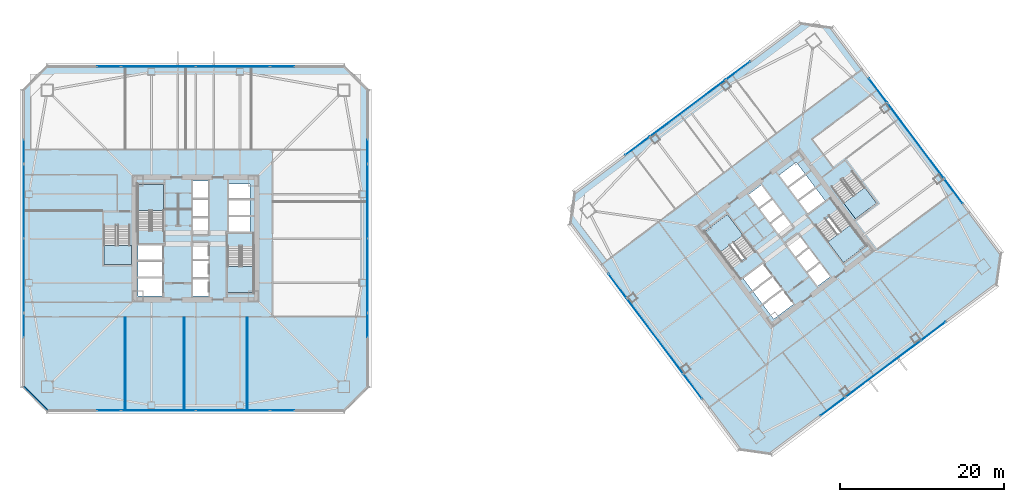
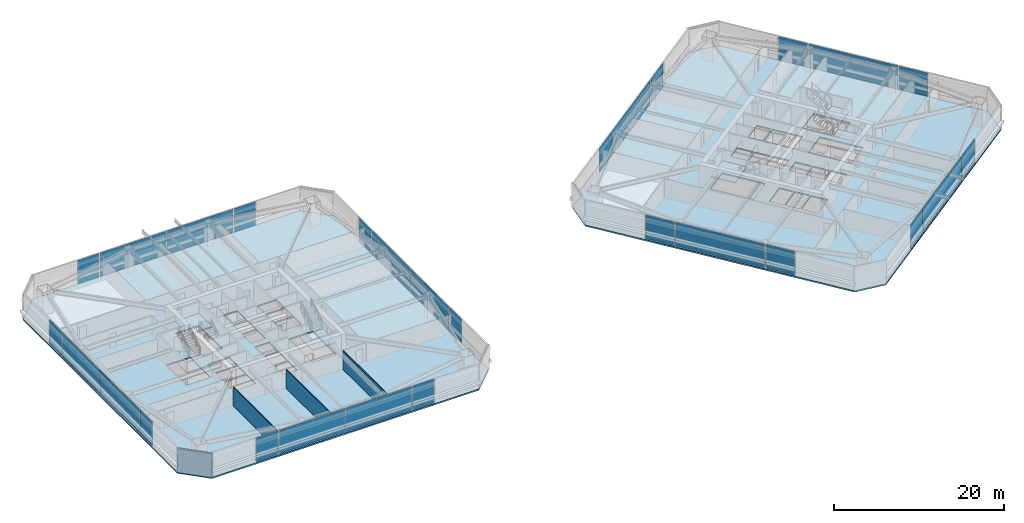
# One storey, part 32 of 44: 28 plates, 8 slabs, 4 walls, 30 elements without a shape of their own.
"""IFC4 building model written with IfcOpenShell, lengths in metres."""

import ifcopenshell
import ifcopenshell.guid

model = None  # the IFC model being written
_history = None  # IfcOwnerHistory: only IFC2X3 demands one
_inside = {}  # id of a spatial element -> (the spatial element, [elements in it])
_under = {}  # id of a project, library or spatial element -> (it, [spatial elements below it])
_declared = {}  # id of a project -> (the project, [libraries it declares])
_typed = {}  # id of a type object -> (the type object, [elements of that type])
_made_of = {}  # id of a material, layer set ... -> (it, [elements and type objects made of it])


def new_model(schema):
    """Start an empty IFC model of exactly this schema.

    Asked for "IFC4X3", IfcOpenShell would pick the latest addendum, in which some entities
    have other attributes; the version numbers below select the first issue.
    IFC2X3 requires an IfcOwnerHistory on every rooted entity: one is made here for all.
    """
    global model, _history
    if schema == "IFC4X3":
        model = ifcopenshell.file(schema_version=(4, 3, 0, 0))
    else:
        model = ifcopenshell.file(schema=schema)
    _inside.clear()
    _under.clear()
    _declared.clear()
    _typed.clear()
    _made_of.clear()
    _history = None
    if model.schema == "IFC2X3":
        org = make("IfcOrganization", Name="unknown")
        user = make(
            "IfcPersonAndOrganization",
            ThePerson=make("IfcPerson", FamilyName="unknown"),
            TheOrganization=org,
        )
        app = make(
            "IfcApplication",
            ApplicationDeveloper=org,
            Version="unknown",
            ApplicationFullName="unknown",
            ApplicationIdentifier="unknown",
        )
        _history = make(
            "IfcOwnerHistory",
            OwningUser=user,
            OwningApplication=app,
            ChangeAction="ADDED",
            CreationDate=0,
        )
    return model


def make(cls, **values):
    """One entity of the class cls with the attributes given. An attribute that is None is left unset."""
    return model.create_entity(
        cls, **{name: value for name, value in values.items() if value is not None}
    )


def rooted(cls, **values):
    """An entity with a GlobalId (a new one), such as an element, a storey or a relation."""
    return make(cls, GlobalId=ifcopenshell.guid.new(), OwnerHistory=_history, **values)


def si_unit(unit_type, name, prefix=None):
    """IfcSIUnit, for example si_unit("LENGTHUNIT", "METRE", prefix="MILLI")."""
    return make("IfcSIUnit", UnitType=unit_type, Prefix=prefix, Name=name)


def assignment(units):
    """IfcUnitAssignment: the units of a project."""
    return None if units is None else make("IfcUnitAssignment", Units=units)


def point(xyz):
    """IfcCartesianPoint."""
    return None if xyz is None else make("IfcCartesianPoint", Coordinates=xyz)


def direction(xyz):
    """IfcDirection."""
    return None if xyz is None else make("IfcDirection", DirectionRatios=xyz)


def frame(location, z_axis=None, x_axis=None):
    """IfcAxis2Placement3D, a coordinate frame: its origin and axes. An axis left out is left unset."""
    return make(
        "IfcAxis2Placement3D",
        Location=point(location),
        Axis=direction(z_axis),
        RefDirection=direction(x_axis),
    )


def frame_2d(location, x_axis=None):
    """IfcAxis2Placement2D, a coordinate frame in the plane: its origin and x axis."""
    return make(
        "IfcAxis2Placement2D", Location=point(location), RefDirection=direction(x_axis)
    )


def origin():
    """The frame at (0, 0, 0) with its axes left unset."""
    return frame((0.0, 0.0, 0.0))


def origin_2d():
    """The frame at (0, 0) in the plane with its x axis left unset."""
    return frame_2d((0.0, 0.0))


def place(relative_to, where):
    """IfcLocalPlacement: puts the frame where relative to a parent placement (None: the world)."""
    return make(
        "IfcLocalPlacement", PlacementRelTo=relative_to, RelativePlacement=where
    )


def context(
    kind, dimensions, precision=None, world=None, true_north=None, identifier=None
):
    """IfcGeometricRepresentationContext, for example the 3D "Model" context."""
    return make(
        "IfcGeometricRepresentationContext",
        ContextIdentifier=identifier,
        ContextType=kind,
        CoordinateSpaceDimension=dimensions,
        Precision=precision,
        WorldCoordinateSystem=world,
        TrueNorth=true_north,
    )


def subcontext(parent, identifier, kind, view, scale=None):
    """IfcGeometricRepresentationSubContext, for example "Body" below "Model"."""
    return make(
        "IfcGeometricRepresentationSubContext",
        ContextIdentifier=identifier,
        ContextType=kind,
        ParentContext=parent,
        TargetScale=scale,
        TargetView=view,
    )


def project(units=None, contexts=None):
    """IfcProject with its units and contexts."""
    return rooted(
        "IfcProject",
        Name="project",
        RepresentationContexts=contexts,
        UnitsInContext=assignment(units),
    )


def spatial(cls, under=None, at=None, **own):
    """A site, building, storey or space (cls), placed at a placement, below another one or the project."""
    s = rooted(cls, ObjectPlacement=at, **own)
    if under is not None:
        _under.setdefault(under.id(), (under, []))[1].append(s)
    return s


def polyline(points):
    """IfcPolyline through the points."""
    return make("IfcPolyline", Points=[point(p) for p in points])


def profile(cls, at=None, kind="AREA", **sizes):
    """A parametric profile (cls). Its sizes go by their IFC names, for example OverallWidth=200.0."""
    return make(cls, ProfileType=kind, Position=at, **sizes)


def rectangle(**sizes):
    """IfcRectangleProfileDef."""
    return profile("IfcRectangleProfileDef", **sizes)


def outline(outer, holes=None, kind="AREA"):
    """IfcArbitraryClosedProfileDef: a profile drawn as a closed curve; with holes, ...WithVoids."""
    if holes is None:
        return make("IfcArbitraryClosedProfileDef", ProfileType=kind, OuterCurve=outer)
    return make(
        "IfcArbitraryProfileDefWithVoids",
        ProfileType=kind,
        OuterCurve=outer,
        InnerCurves=holes,
    )


def extrude(swept, where, along, depth):
    """IfcExtrudedAreaSolid: the profile swept, set in the frame where, extruded along a direction by depth."""
    return make(
        "IfcExtrudedAreaSolid",
        SweptArea=swept,
        Position=where,
        ExtrudedDirection=direction(along),
        Depth=depth,
    )


def shape(context_of_items, identifier, shape_type, items):
    """IfcShapeRepresentation: the items that make up one representation, for example the "Body"."""
    return make(
        "IfcShapeRepresentation",
        ContextOfItems=context_of_items,
        RepresentationIdentifier=identifier,
        RepresentationType=shape_type,
        Items=items,
    )


def material(Name=None, Category=None):
    """IfcMaterial."""
    return make("IfcMaterial", Name=Name, Category=Category)


def layer(
    of_material, thickness, ventilated=None, Name=None, Category=None, Priority=None
):
    """IfcMaterialLayer: one layer of a wall or slab, of a material (None: an air gap)."""
    return make(
        "IfcMaterialLayer",
        Material=of_material,
        LayerThickness=thickness,
        IsVentilated=ventilated,
        Name=Name,
        Category=Category,
        Priority=Priority,
    )


def layer_set(layers, Name=None):
    """IfcMaterialLayerSet."""
    return make("IfcMaterialLayerSet", MaterialLayers=layers, LayerSetName=Name)


def made_of(thing, what):
    """Note that an element or type object is made of a material, layer set ...; save() writes the relation."""
    if what is not None:
        _made_of.setdefault(what.id(), (what, []))[1].append(thing)
    return thing


def type_object(cls, material=None, **own):
    """A type object (cls), such as IfcWallType, which elements share."""
    return made_of(rooted(cls, **own), material)


def element(
    cls,
    number,
    at=None,
    inside=None,
    cuts=None,
    type_object=None,
    material=None,
    context=None,
    identifier="Body",
    shape_type=None,
    held_by="IfcProductDefinitionShape",
    body=None,
    shapes=None,
    **own,
):
    """One element of the class cls, such as IfcWall. Its Tag is "e" and its number.

    at: its placement. inside: the storey or other place that contains it. cuts: it is an
    opening in that element (IfcRelVoidsElement). A single representation is given by context,
    identifier, shape_type and body (its items); several are given by shapes. held_by: the class
    of the entity that holds the representations. save() writes the other relations.
    """
    e = rooted(cls, Tag="e%d" % number, ObjectPlacement=at, **own)
    if body is not None:
        shapes = [shape(context, identifier, shape_type, body)]
    if shapes is not None:
        e.Representation = make(held_by, Representations=shapes)
    if inside is not None:
        _inside.setdefault(inside.id(), (inside, []))[1].append(e)
    if cuts is not None:
        rooted(
            "IfcRelVoidsElement", RelatingBuildingElement=cuts, RelatedOpeningElement=e
        )
    if type_object is not None:
        _typed.setdefault(type_object.id(), (type_object, []))[1].append(e)
    return made_of(e, material)


def aggregate(whole, parts):
    """IfcRelAggregates: a whole, such as a stair, and the parts it consists of."""
    return rooted("IfcRelAggregates", RelatingObject=whole, RelatedObjects=parts)


def save(model, path):
    """Write the relations noted so far, then the file.

    IfcRelAggregates (storeys below a building ...), IfcRelContainedInSpatialStructure (elements
    in a storey), IfcRelDefinesByType, IfcRelAssociatesMaterial and IfcRelDeclares: one each for
    every whole, place, type object, material and project.
    """
    for whole, parts in _under.values():
        aggregate(whole, parts)
    for where, things in _inside.values():
        rooted(
            "IfcRelContainedInSpatialStructure",
            RelatedElements=things,
            RelatingStructure=where,
        )
    for kind, things in _typed.values():
        rooted("IfcRelDefinesByType", RelatedObjects=things, RelatingType=kind)
    for what, things in _made_of.values():
        rooted("IfcRelAssociatesMaterial", RelatedObjects=things, RelatingMaterial=what)
    for by, libraries in _declared.values():
        rooted("IfcRelDeclares", RelatingContext=by, RelatedDefinitions=libraries)
    model.write(path)


model = new_model("IFC4")

# Units and contexts
model_context = context("Model", 3, precision=1e-05, world=origin(), true_north=direction((0.0, 1.0)))
body_context = subcontext(model_context, "Body", "Model", "MODEL_VIEW")
ifc_project = project(units=[si_unit("LENGTHUNIT", "METRE"), si_unit("AREAUNIT", "SQUARE_METRE"), si_unit("VOLUMEUNIT", "CUBIC_METRE"), si_unit("PLANEANGLEUNIT", "RADIAN"), si_unit("MASSUNIT", "GRAM", prefix="KILO")], contexts=[model_context])

# Site, building, storey
site_placement = place(None, origin())
site = spatial("IfcSite", under=ifc_project, at=site_placement, CompositionType="ELEMENT")
building_placement = place(site_placement, origin())
building = spatial("IfcBuilding", under=site, at=building_placement, Name="Tashvorn Skyway Center", CompositionType="ELEMENT")
storey_placement = place(building_placement, frame((0.0, 0.0, 74.300048828125)))
storey = spatial("IfcBuildingStorey", under=building, at=storey_placement, Name="L19", CompositionType="ELEMENT", Elevation=74.300048828125)

# Curtain wall, plate
ifc_material_1 = material(Name="Thermally broken bronze-anodized aluminium 6063-T6", Category="aluminium")
curtain_wall_type = type_object("IfcCurtainWallType", Name="CW-CW-Z2", PredefinedType="NOTDEFINED", material=ifc_material_1)
curtain_wall_1_placement = place(storey_placement, origin())
curtain_wall_1 = element("IfcCurtainWall", 1, at=curtain_wall_1_placement, inside=storey, type_object=curtain_wall_type, Name="Tower 1 L19 South Unitised Curtain Wall Glazing Group 1", PredefinedType="NOTDEFINED")
ifc_material_2 = material(Name="Low-E solar-control double insulating safety glass", Category="glass")
ifc_layer_1 = layer(ifc_material_2, 0.0439453125)
ifc_layer_set_1 = layer_set([ifc_layer_1], Name="Low-E solar-control double insulating safety glass")
plate_type = type_object("IfcPlateType", Name="CWP-CW-Z2", PredefinedType="CURTAIN_PANEL", material=ifc_layer_set_1)
plate_1_placement = place(storey_placement, frame((52.60498046875, 11.02001953125, 0.080078125), z_axis=(0.0, 0.0, 1.0), x_axis=(-1.0, 0.0, 0.0)))
plate_1 = element("IfcPlate", 2, at=plate_1_placement, type_object=plate_type, Name="CW-Z2 panel 1.1", PredefinedType="CURTAIN_PANEL", context=body_context, shape_type="SweptSolid", body=[
    extrude(rectangle(XDim=2.8701171875, YDim=0.0439453125, at=origin_2d()), origin(), (0.0, 0.0, 1.0), 3.389892578125),
])
aggregate(curtain_wall_1, [plate_1])

# Curtain wall, plates
curtain_wall_2_placement = place(storey_placement, origin())
curtain_wall_2 = element("IfcCurtainWall", 3, at=curtain_wall_2_placement, inside=storey, type_object=curtain_wall_type, Name="Tower 1 L19 South Unitised Curtain Wall Glazing Group 2", PredefinedType="NOTDEFINED")
plate_2_placement = place(storey_placement, frame((46.52490234375, 11.02001953125, 0.080078125), z_axis=(0.0, 0.0, 1.0), x_axis=(-1.0, 0.0, 0.0)))
plate_2 = element("IfcPlate", 4, at=plate_2_placement, type_object=plate_type, Name="CW-Z2 panel 1.1", PredefinedType="CURTAIN_PANEL", context=body_context, shape_type="SweptSolid", body=[
    extrude(rectangle(XDim=8.969970703125, YDim=0.0439453125, at=origin_2d()), origin(), (0.0, 0.0, 1.0), 3.389892578125),
])
plate_3_placement = place(storey_placement, frame((37.47509765625, 11.02001953125, 0.080078125), z_axis=(0.0, 0.0, 1.0), x_axis=(-1.0, 0.0, 0.0)))
plate_3 = element("IfcPlate", 5, at=plate_3_placement, type_object=plate_type, Name="CW-Z2 panel 2.1", PredefinedType="CURTAIN_PANEL", context=body_context, shape_type="SweptSolid", body=[
    extrude(rectangle(XDim=8.969970703125, YDim=0.0439453125, at=origin_2d()), origin(), (0.0, 0.0, 1.0), 3.389892578125),
])
aggregate(curtain_wall_2, [plate_2, plate_3])

# Curtain wall, plate
curtain_wall_3_placement = place(storey_placement, origin())
curtain_wall_3 = element("IfcCurtainWall", 6, at=curtain_wall_3_placement, inside=storey, type_object=curtain_wall_type, Name="Tower 1 L19 South Unitised Curtain Wall Glazing Group 3", PredefinedType="NOTDEFINED")
plate_4_placement = place(storey_placement, frame((31.39501953125, 11.02001953125, 0.080078125), z_axis=(0.0, 0.0, 1.0), x_axis=(-1.0, 0.0, 0.0)))
plate_4 = element("IfcPlate", 7, at=plate_4_placement, type_object=plate_type, Name="CW-Z2 panel 1.1", PredefinedType="CURTAIN_PANEL", context=body_context, shape_type="SweptSolid", body=[
    extrude(rectangle(XDim=2.8701171875, YDim=0.0439453125, at=origin_2d()), origin(), (0.0, 0.0, 1.0), 3.389892578125),
])
aggregate(curtain_wall_3, [plate_4])

curtain_wall_4_placement = place(storey_placement, origin())
curtain_wall_4 = element("IfcCurtainWall", 8, at=curtain_wall_4_placement, inside=storey, type_object=curtain_wall_type, Name="Tower 1 L19 West Unitised Curtain Wall Glazing Group 1", PredefinedType="NOTDEFINED")
plate_5_placement = place(storey_placement, frame((21.02001953125, 21.39501953125, 0.080078125), z_axis=(0.0, 0.0, 1.0), x_axis=(0.0, 1.0, 0.0)))
plate_5 = element("IfcPlate", 9, at=plate_5_placement, type_object=plate_type, Name="CW-Z2 panel 1.1", PredefinedType="CURTAIN_PANEL", context=body_context, shape_type="SweptSolid", body=[
    extrude(rectangle(XDim=2.8701171875, YDim=0.0439453125, at=origin_2d()), origin(), (0.0, 0.0, 1.0), 3.389892578125),
])
aggregate(curtain_wall_4, [plate_5])

# Curtain wall, plates
curtain_wall_5_placement = place(storey_placement, origin())
curtain_wall_5 = element("IfcCurtainWall", 10, at=curtain_wall_5_placement, inside=storey, type_object=curtain_wall_type, Name="Tower 1 L19 West Unitised Curtain Wall Glazing Group 2", PredefinedType="NOTDEFINED")
plate_6_placement = place(storey_placement, frame((21.02001953125, 27.47509765625, 0.080078125), z_axis=(0.0, 0.0, 1.0), x_axis=(0.0, 1.0, 0.0)))
plate_6 = element("IfcPlate", 11, at=plate_6_placement, type_object=plate_type, Name="CW-Z2 panel 1.1", PredefinedType="CURTAIN_PANEL", context=body_context, shape_type="SweptSolid", body=[
    extrude(rectangle(XDim=8.969970703125, YDim=0.0439453125, at=origin_2d()), origin(), (0.0, 0.0, 1.0), 3.389892578125),
])
plate_7_placement = place(storey_placement, frame((21.02001953125, 36.52490234375, 0.080078125), z_axis=(0.0, 0.0, 1.0), x_axis=(0.0, 1.0, 0.0)))
plate_7 = element("IfcPlate", 12, at=plate_7_placement, type_object=plate_type, Name="CW-Z2 panel 2.1", PredefinedType="CURTAIN_PANEL", context=body_context, shape_type="SweptSolid", body=[
    extrude(rectangle(XDim=8.969970703125, YDim=0.0439453125, at=origin_2d()), origin(), (0.0, 0.0, 1.0), 3.389892578125),
])
aggregate(curtain_wall_5, [plate_6, plate_7])

# Curtain wall, plate
curtain_wall_6_placement = place(storey_placement, origin())
curtain_wall_6 = element("IfcCurtainWall", 13, at=curtain_wall_6_placement, inside=storey, type_object=curtain_wall_type, Name="Tower 1 L19 West Unitised Curtain Wall Glazing Group 3", PredefinedType="NOTDEFINED")
plate_8_placement = place(storey_placement, frame((21.02001953125, 42.60498046875, 0.080078125), z_axis=(0.0, 0.0, 1.0), x_axis=(0.0, 1.0, 0.0)))
plate_8 = element("IfcPlate", 14, at=plate_8_placement, type_object=plate_type, Name="CW-Z2 panel 1.1", PredefinedType="CURTAIN_PANEL", context=body_context, shape_type="SweptSolid", body=[
    extrude(rectangle(XDim=2.8701171875, YDim=0.0439453125, at=origin_2d()), origin(), (0.0, 0.0, 1.0), 3.389892578125),
])
aggregate(curtain_wall_6, [plate_8])

curtain_wall_7_placement = place(storey_placement, origin())
curtain_wall_7 = element("IfcCurtainWall", 15, at=curtain_wall_7_placement, inside=storey, type_object=curtain_wall_type, Name="Tower 1 L19 North Unitised Curtain Wall Glazing Group 1", PredefinedType="NOTDEFINED")
plate_9_placement = place(storey_placement, frame((31.39501953125, 52.97998046875, 0.080078125), z_axis=(0.0, 0.0, 1.0), x_axis=(1.0, 0.0, 0.0)))
plate_9 = element("IfcPlate", 16, at=plate_9_placement, type_object=plate_type, Name="CW-Z2 panel 1.1", PredefinedType="CURTAIN_PANEL", context=body_context, shape_type="SweptSolid", body=[
    extrude(rectangle(XDim=2.8701171875, YDim=0.0439453125, at=origin_2d()), origin(), (0.0, 0.0, 1.0), 3.389892578125),
])
aggregate(curtain_wall_7, [plate_9])

# Curtain wall, plates
curtain_wall_8_placement = place(storey_placement, origin())
curtain_wall_8 = element("IfcCurtainWall", 17, at=curtain_wall_8_placement, inside=storey, type_object=curtain_wall_type, Name="Tower 1 L19 North Unitised Curtain Wall Glazing Group 2", PredefinedType="NOTDEFINED")
plate_10_placement = place(storey_placement, frame((37.47509765625, 52.97998046875, 0.080078125), z_axis=(0.0, 0.0, 1.0), x_axis=(1.0, 0.0, 0.0)))
plate_10 = element("IfcPlate", 18, at=plate_10_placement, type_object=plate_type, Name="CW-Z2 panel 1.1", PredefinedType="CURTAIN_PANEL", context=body_context, shape_type="SweptSolid", body=[
    extrude(rectangle(XDim=8.969970703125, YDim=0.0439453125, at=origin_2d()), origin(), (0.0, 0.0, 1.0), 3.389892578125),
])
plate_11_placement = place(storey_placement, frame((46.52490234375, 52.97998046875, 0.080078125), z_axis=(0.0, 0.0, 1.0), x_axis=(1.0, 0.0, 0.0)))
plate_11 = element("IfcPlate", 19, at=plate_11_placement, type_object=plate_type, Name="CW-Z2 panel 2.1", PredefinedType="CURTAIN_PANEL", context=body_context, shape_type="SweptSolid", body=[
    extrude(rectangle(XDim=8.969970703125, YDim=0.0439453125, at=origin_2d()), origin(), (0.0, 0.0, 1.0), 3.389892578125),
])
aggregate(curtain_wall_8, [plate_10, plate_11])

# Curtain wall, plate
curtain_wall_9_placement = place(storey_placement, origin())
curtain_wall_9 = element("IfcCurtainWall", 20, at=curtain_wall_9_placement, inside=storey, type_object=curtain_wall_type, Name="Tower 1 L19 North Unitised Curtain Wall Glazing Group 3", PredefinedType="NOTDEFINED")
plate_12_placement = place(storey_placement, frame((52.60498046875, 52.97998046875, 0.080078125), z_axis=(0.0, 0.0, 1.0), x_axis=(1.0, 0.0, 0.0)))
plate_12 = element("IfcPlate", 21, at=plate_12_placement, type_object=plate_type, Name="CW-Z2 panel 1.1", PredefinedType="CURTAIN_PANEL", context=body_context, shape_type="SweptSolid", body=[
    extrude(rectangle(XDim=2.8701171875, YDim=0.0439453125, at=origin_2d()), origin(), (0.0, 0.0, 1.0), 3.389892578125),
])
aggregate(curtain_wall_9, [plate_12])

curtain_wall_10_placement = place(storey_placement, origin())
curtain_wall_10 = element("IfcCurtainWall", 22, at=curtain_wall_10_placement, inside=storey, type_object=curtain_wall_type, Name="Tower 1 L19 East Unitised Curtain Wall Glazing Group 1", PredefinedType="NOTDEFINED")
plate_13_placement = place(storey_placement, frame((62.97998046875, 42.60498046875, 0.080078125), z_axis=(0.0, 0.0, 1.0), x_axis=(0.0, -1.0, 0.0)))
plate_13 = element("IfcPlate", 23, at=plate_13_placement, type_object=plate_type, Name="CW-Z2 panel 1.1", PredefinedType="CURTAIN_PANEL", context=body_context, shape_type="SweptSolid", body=[
    extrude(rectangle(XDim=2.8701171875, YDim=0.0439453125, at=origin_2d()), origin(), (0.0, 0.0, 1.0), 3.389892578125),
])
aggregate(curtain_wall_10, [plate_13])

# Curtain wall, plates
curtain_wall_11_placement = place(storey_placement, origin())
curtain_wall_11 = element("IfcCurtainWall", 24, at=curtain_wall_11_placement, inside=storey, type_object=curtain_wall_type, Name="Tower 1 L19 East Unitised Curtain Wall Glazing Group 2", PredefinedType="NOTDEFINED")
plate_14_placement = place(storey_placement, frame((62.97998046875, 36.52490234375, 0.080078125), z_axis=(0.0, 0.0, 1.0), x_axis=(0.0, -1.0, 0.0)))
plate_14 = element("IfcPlate", 25, at=plate_14_placement, type_object=plate_type, Name="CW-Z2 panel 1.1", PredefinedType="CURTAIN_PANEL", context=body_context, shape_type="SweptSolid", body=[
    extrude(rectangle(XDim=8.969970703125, YDim=0.0439453125, at=origin_2d()), origin(), (0.0, 0.0, 1.0), 3.389892578125),
])
plate_15_placement = place(storey_placement, frame((62.97998046875, 27.47509765625, 0.080078125), z_axis=(0.0, 0.0, 1.0), x_axis=(0.0, -1.0, 0.0)))
plate_15 = element("IfcPlate", 26, at=plate_15_placement, type_object=plate_type, Name="CW-Z2 panel 2.1", PredefinedType="CURTAIN_PANEL", context=body_context, shape_type="SweptSolid", body=[
    extrude(rectangle(XDim=8.969970703125, YDim=0.0439453125, at=origin_2d()), origin(), (0.0, 0.0, 1.0), 3.389892578125),
])
aggregate(curtain_wall_11, [plate_14, plate_15])

# Curtain wall, plate
curtain_wall_12_placement = place(storey_placement, origin())
curtain_wall_12 = element("IfcCurtainWall", 27, at=curtain_wall_12_placement, inside=storey, type_object=curtain_wall_type, Name="Tower 1 L19 East Unitised Curtain Wall Glazing Group 3", PredefinedType="NOTDEFINED")
plate_16_placement = place(storey_placement, frame((62.97998046875, 21.39501953125, 0.080078125), z_axis=(0.0, 0.0, 1.0), x_axis=(0.0, -1.0, 0.0)))
plate_16 = element("IfcPlate", 28, at=plate_16_placement, type_object=plate_type, Name="CW-Z2 panel 1.1", PredefinedType="CURTAIN_PANEL", context=body_context, shape_type="SweptSolid", body=[
    extrude(rectangle(XDim=2.8701171875, YDim=0.0439453125, at=origin_2d()), origin(), (0.0, 0.0, 1.0), 3.389892578125),
])
aggregate(curtain_wall_12, [plate_16])

curtain_wall_13_placement = place(storey_placement, origin())
curtain_wall_13 = element("IfcCurtainWall", 29, at=curtain_wall_13_placement, inside=storey, type_object=curtain_wall_type, Name="Tower 2 L19 South Unitised Curtain Wall Glazing Group 1", PredefinedType="NOTDEFINED")
plate_17_placement = place(storey_placement, frame((132.072021484375, 20.7041015625, 0.080078125), z_axis=(0.0, 0.0, 1.0), x_axis=(-0.799999999998, -0.600000000002, 0.0)))
plate_17 = element("IfcPlate", 30, at=plate_17_placement, type_object=plate_type, Name="CW-Z2 panel 1.1", PredefinedType="CURTAIN_PANEL", context=body_context, shape_type="SweptSolid", body=[
    extrude(rectangle(XDim=3.679931640625, YDim=0.0439453125, at=origin_2d()), origin(), (0.0, 0.0, 1.0), 3.389892578125),
])
aggregate(curtain_wall_13, [plate_17])

curtain_wall_14_placement = place(storey_placement, origin())
curtain_wall_14 = element("IfcCurtainWall", 31, at=curtain_wall_14_placement, inside=storey, type_object=curtain_wall_type, Name="Tower 2 L19 South Unitised Curtain Wall Glazing Group 2", PredefinedType="NOTDEFINED")
plate_18_placement = place(storey_placement, frame((125.927978515625, 16.095947265625, 0.080078125), z_axis=(0.0, 0.0, 1.0), x_axis=(-0.799999999998, -0.600000000002, 0.0)))
plate_18 = element("IfcPlate", 32, at=plate_18_placement, type_object=plate_type, Name="CW-Z2 panel 1.1", PredefinedType="CURTAIN_PANEL", context=body_context, shape_type="SweptSolid", body=[
    extrude(rectangle(XDim=11.360107421875, YDim=0.0439453125, at=origin_2d()), origin(), (0.0, 0.0, 1.0), 3.389892578125),
])
aggregate(curtain_wall_14, [plate_18])

curtain_wall_15_placement = place(storey_placement, origin())
curtain_wall_15 = element("IfcCurtainWall", 33, at=curtain_wall_15_placement, inside=storey, type_object=curtain_wall_type, Name="Tower 2 L19 South Unitised Curtain Wall Glazing Group 3", PredefinedType="NOTDEFINED")
plate_19_placement = place(storey_placement, frame((119.783935546875, 11.488037109375, 0.080078125), z_axis=(0.0, 0.0, 1.0), x_axis=(-0.799999999998, -0.600000000002, 0.0)))
plate_19 = element("IfcPlate", 34, at=plate_19_placement, type_object=plate_type, Name="CW-Z2 panel 1.1", PredefinedType="CURTAIN_PANEL", context=body_context, shape_type="SweptSolid", body=[
    extrude(rectangle(XDim=3.679931640625, YDim=0.0439453125, at=origin_2d()), origin(), (0.0, 0.0, 1.0), 3.389892578125),
])
aggregate(curtain_wall_15, [plate_19])

curtain_wall_16_placement = place(storey_placement, origin())
curtain_wall_16 = element("IfcCurtainWall", 35, at=curtain_wall_16_placement, inside=storey, type_object=curtain_wall_type, Name="Tower 2 L19 West Unitised Curtain Wall Glazing Group 1", PredefinedType="NOTDEFINED")
plate_20_placement = place(storey_placement, frame((102.7041015625, 13.927978515625, 0.080078125), z_axis=(0.0, 0.0, 1.0), x_axis=(-0.600000000002, 0.799999999998, 0.0)))
plate_20 = element("IfcPlate", 36, at=plate_20_placement, type_object=plate_type, Name="CW-Z2 panel 1.1", PredefinedType="CURTAIN_PANEL", context=body_context, shape_type="SweptSolid", body=[
    extrude(rectangle(XDim=3.679931640625, YDim=0.0439453125, at=origin_2d()), origin(), (0.0, 0.0, 1.0), 3.389892578125),
])
aggregate(curtain_wall_16, [plate_20])

curtain_wall_17_placement = place(storey_placement, origin())
curtain_wall_17 = element("IfcCurtainWall", 37, at=curtain_wall_17_placement, inside=storey, type_object=curtain_wall_type, Name="Tower 2 L19 West Unitised Curtain Wall Glazing Group 2", PredefinedType="NOTDEFINED")
plate_21_placement = place(storey_placement, frame((98.095947265625, 20.072021484375, 0.080078125), z_axis=(0.0, 0.0, 1.0), x_axis=(-0.600000000002, 0.799999999998, 0.0)))
plate_21 = element("IfcPlate", 38, at=plate_21_placement, type_object=plate_type, Name="CW-Z2 panel 1.1", PredefinedType="CURTAIN_PANEL", context=body_context, shape_type="SweptSolid", body=[
    extrude(rectangle(XDim=11.360107421875, YDim=0.0439453125, at=origin_2d()), origin(), (0.0, 0.0, 1.0), 3.389892578125),
])
aggregate(curtain_wall_17, [plate_21])

curtain_wall_18_placement = place(storey_placement, origin())
curtain_wall_18 = element("IfcCurtainWall", 39, at=curtain_wall_18_placement, inside=storey, type_object=curtain_wall_type, Name="Tower 2 L19 West Unitised Curtain Wall Glazing Group 3", PredefinedType="NOTDEFINED")
plate_22_placement = place(storey_placement, frame((93.488037109375, 26.216064453125, 0.080078125), z_axis=(0.0, 0.0, 1.0), x_axis=(-0.600000000002, 0.799999999998, 0.0)))
plate_22 = element("IfcPlate", 40, at=plate_22_placement, type_object=plate_type, Name="CW-Z2 panel 1.1", PredefinedType="CURTAIN_PANEL", context=body_context, shape_type="SweptSolid", body=[
    extrude(rectangle(XDim=3.679931640625, YDim=0.0439453125, at=origin_2d()), origin(), (0.0, 0.0, 1.0), 3.389892578125),
])
aggregate(curtain_wall_18, [plate_22])

curtain_wall_19_placement = place(storey_placement, origin())
curtain_wall_19 = element("IfcCurtainWall", 41, at=curtain_wall_19_placement, inside=storey, type_object=curtain_wall_type, Name="Tower 2 L19 North Unitised Curtain Wall Glazing Group 1", PredefinedType="NOTDEFINED")
plate_23_placement = place(storey_placement, frame((95.927978515625, 43.2958984375, 0.080078125), z_axis=(0.0, 0.0, 1.0), x_axis=(0.799999999998, 0.600000000002, 0.0)))
plate_23 = element("IfcPlate", 42, at=plate_23_placement, type_object=plate_type, Name="CW-Z2 panel 1.1", PredefinedType="CURTAIN_PANEL", context=body_context, shape_type="SweptSolid", body=[
    extrude(rectangle(XDim=3.679931640625, YDim=0.0439453125, at=origin_2d()), origin(), (0.0, 0.0, 1.0), 3.389892578125),
])
aggregate(curtain_wall_19, [plate_23])

curtain_wall_20_placement = place(storey_placement, origin())
curtain_wall_20 = element("IfcCurtainWall", 43, at=curtain_wall_20_placement, inside=storey, type_object=curtain_wall_type, Name="Tower 2 L19 North Unitised Curtain Wall Glazing Group 2", PredefinedType="NOTDEFINED")
plate_24_placement = place(storey_placement, frame((102.072021484375, 47.904052734375, 0.080078125), z_axis=(0.0, 0.0, 1.0), x_axis=(0.799999999998, 0.600000000002, 0.0)))
plate_24 = element("IfcPlate", 44, at=plate_24_placement, type_object=plate_type, Name="CW-Z2 panel 1.1", PredefinedType="CURTAIN_PANEL", context=body_context, shape_type="SweptSolid", body=[
    extrude(rectangle(XDim=11.360107421875, YDim=0.0439453125, at=origin_2d()), origin(), (0.0, 0.0, 1.0), 3.389892578125),
])
aggregate(curtain_wall_20, [plate_24])

curtain_wall_21_placement = place(storey_placement, origin())
curtain_wall_21 = element("IfcCurtainWall", 45, at=curtain_wall_21_placement, inside=storey, type_object=curtain_wall_type, Name="Tower 2 L19 North Unitised Curtain Wall Glazing Group 3", PredefinedType="NOTDEFINED")
plate_25_placement = place(storey_placement, frame((108.216064453125, 52.511962890625, 0.080078125), z_axis=(0.0, 0.0, 1.0), x_axis=(0.799999999998, 0.600000000002, 0.0)))
plate_25 = element("IfcPlate", 46, at=plate_25_placement, type_object=plate_type, Name="CW-Z2 panel 1.1", PredefinedType="CURTAIN_PANEL", context=body_context, shape_type="SweptSolid", body=[
    extrude(rectangle(XDim=3.679931640625, YDim=0.0439453125, at=origin_2d()), origin(), (0.0, 0.0, 1.0), 3.389892578125),
])
aggregate(curtain_wall_21, [plate_25])

curtain_wall_22_placement = place(storey_placement, origin())
curtain_wall_22 = element("IfcCurtainWall", 47, at=curtain_wall_22_placement, inside=storey, type_object=curtain_wall_type, Name="Tower 2 L19 East Unitised Curtain Wall Glazing Group 1", PredefinedType="NOTDEFINED")
plate_26_placement = place(storey_placement, frame((125.2958984375, 50.072021484375, 0.080078125), z_axis=(0.0, 0.0, 1.0), x_axis=(0.600000000002, -0.799999999998, 0.0)))
plate_26 = element("IfcPlate", 48, at=plate_26_placement, type_object=plate_type, Name="CW-Z2 panel 1.1", PredefinedType="CURTAIN_PANEL", context=body_context, shape_type="SweptSolid", body=[
    extrude(rectangle(XDim=3.679931640625, YDim=0.0439453125, at=origin_2d()), origin(), (0.0, 0.0, 1.0), 3.389892578125),
])
aggregate(curtain_wall_22, [plate_26])

curtain_wall_23_placement = place(storey_placement, origin())
curtain_wall_23 = element("IfcCurtainWall", 49, at=curtain_wall_23_placement, inside=storey, type_object=curtain_wall_type, Name="Tower 2 L19 East Unitised Curtain Wall Glazing Group 2", PredefinedType="NOTDEFINED")
plate_27_placement = place(storey_placement, frame((129.904052734375, 43.927978515625, 0.080078125), z_axis=(0.0, 0.0, 1.0), x_axis=(0.600000000002, -0.799999999998, 0.0)))
plate_27 = element("IfcPlate", 50, at=plate_27_placement, type_object=plate_type, Name="CW-Z2 panel 1.1", PredefinedType="CURTAIN_PANEL", context=body_context, shape_type="SweptSolid", body=[
    extrude(rectangle(XDim=11.360107421875, YDim=0.0439453125, at=origin_2d()), origin(), (0.0, 0.0, 1.0), 3.389892578125),
])
aggregate(curtain_wall_23, [plate_27])

curtain_wall_24_placement = place(storey_placement, origin())
curtain_wall_24 = element("IfcCurtainWall", 51, at=curtain_wall_24_placement, inside=storey, type_object=curtain_wall_type, Name="Tower 2 L19 East Unitised Curtain Wall Glazing Group 3", PredefinedType="NOTDEFINED")
plate_28_placement = place(storey_placement, frame((134.511962890625, 37.783935546875, 0.080078125), z_axis=(0.0, 0.0, 1.0), x_axis=(0.600000000002, -0.799999999998, 0.0)))
plate_28 = element("IfcPlate", 52, at=plate_28_placement, type_object=plate_type, Name="CW-Z2 panel 1.1", PredefinedType="CURTAIN_PANEL", context=body_context, shape_type="SweptSolid", body=[
    extrude(rectangle(XDim=3.679931640625, YDim=0.0439453125, at=origin_2d()), origin(), (0.0, 0.0, 1.0), 3.389892578125),
])
aggregate(curtain_wall_24, [plate_28])

# Slabs
ifc_material_3 = material(Name="Concrete C40/50", Category="concrete")
ifc_layer_2 = layer(ifc_material_3, 0.199951171875)
ifc_layer_set_2 = layer_set([ifc_layer_2], Name="Concrete C40/50")
slab_type_1 = type_object("IfcSlabType", Name="SLAB-FLR-200", PredefinedType="FLOOR", material=ifc_layer_set_2)
slab_1_placement = place(storey_placement, frame((0.0, 0.0, -0.199951171875)))
element("IfcSlab", 53, at=slab_1_placement, inside=storey, type_object=slab_type_1, Name="Tower 1 L19 Composite Floor Slab", PredefinedType="FLOOR", context=body_context, shape_type="SweptSolid", body=[
    extrude(outline(polyline([(23.89990234375, 10.89990234375), (60.10009765625, 10.89990234375), (63.10009765625, 13.89990234375), (63.10009765625, 50.10009765625), (60.10009765625, 53.10009765625), (23.89990234375, 53.10009765625), (20.89990234375, 50.10009765625), (20.89990234375, 13.89990234375), (23.89990234375, 10.89990234375)]), holes=[polyline([(38.10009765625, 33.080078125), (38.10009765625, 38.60009765625), (34.89990234375, 38.60009765625), (34.89990234375, 33.080078125), (38.10009765625, 33.080078125)]), polyline([(45.89990234375, 30.919921875), (45.89990234375, 25.39990234375), (49.10009765625, 25.39990234375), (49.10009765625, 30.919921875), (45.89990234375, 30.919921875)]), polyline([(30.800048828125, 33.52001953125), (30.800048828125, 28.800048828125), (34.0, 28.800048828125), (34.0, 33.52001953125), (30.800048828125, 33.52001953125)]), polyline([(34.949951171875, 29.35009765625), (37.949951171875, 29.35009765625), (37.949951171875, 31.199951171875), (34.949951171875, 31.199951171875), (34.949951171875, 29.35009765625)]), polyline([(34.949951171875, 27.35009765625), (37.949951171875, 27.35009765625), (37.949951171875, 29.199951171875), (34.949951171875, 29.199951171875), (34.949951171875, 27.35009765625)]), polyline([(34.949951171875, 25.0), (37.949951171875, 25.0), (37.949951171875, 27.14990234375), (34.949951171875, 27.14990234375), (34.949951171875, 25.0)]), polyline([(41.64990234375, 25.0), (43.550048828125, 25.0), (43.550048828125, 27.050048828125), (41.64990234375, 27.050048828125), (41.64990234375, 25.0)]), polyline([(41.64990234375, 27.25), (43.550048828125, 27.25), (43.550048828125, 29.300048828125), (41.64990234375, 29.300048828125), (41.64990234375, 27.25)]), polyline([(41.64990234375, 29.5), (43.550048828125, 29.5), (43.550048828125, 31.550048828125), (41.64990234375, 31.550048828125), (41.64990234375, 29.5)]), polyline([(41.64990234375, 32.449951171875), (43.550048828125, 32.449951171875), (43.550048828125, 34.5), (41.64990234375, 34.5), (41.64990234375, 32.449951171875)]), polyline([(41.64990234375, 34.699951171875), (43.550048828125, 34.699951171875), (43.550048828125, 36.75), (41.64990234375, 36.75), (41.64990234375, 34.699951171875)]), polyline([(41.64990234375, 36.949951171875), (43.550048828125, 36.949951171875), (43.550048828125, 39.0), (41.64990234375, 39.0), (41.64990234375, 36.949951171875)]), polyline([(46.050048828125, 32.800048828125), (48.64990234375, 32.800048828125), (48.64990234375, 34.64990234375), (46.050048828125, 34.64990234375), (46.050048828125, 32.800048828125)]), polyline([(46.050048828125, 34.85009765625), (48.64990234375, 34.85009765625), (48.64990234375, 36.699951171875), (46.050048828125, 36.699951171875), (46.050048828125, 34.85009765625)]), polyline([(46.050048828125, 36.89990234375), (48.64990234375, 36.89990234375), (48.64990234375, 38.64990234375), (46.050048828125, 38.64990234375), (46.050048828125, 36.89990234375)])]), origin(), (0.0, 0.0, 1.0), 0.199951171875),
])
slab_2_placement = place(storey_placement, frame((0.0, 0.0, -0.199951171875)))
element("IfcSlab", 54, at=slab_2_placement, inside=storey, type_object=slab_type_1, Name="Tower 2 L19 Composite Floor Slab", PredefinedType="FLOOR", context=body_context, shape_type="SweptSolid", body=[
    extrude(outline(polyline([(112.239990234375, 5.679931640625), (139.760009765625, 26.320068359375), (140.320068359375, 30.239990234375), (119.679931640625, 57.760009765625), (115.760009765625, 58.320068359375), (88.239990234375, 37.679931640625), (87.679931640625, 33.760009765625), (108.320068359375, 6.239990234375), (112.239990234375, 5.679931640625)]), holes=[polyline([(110.23193359375, 30.52392578125), (106.919921875, 34.93994140625), (104.135986328125, 32.85205078125), (107.447998046875, 28.43603515625), (110.23193359375, 30.52392578125)]), polyline([(117.76806640625, 33.47607421875), (121.080078125, 29.06005859375), (123.864013671875, 31.14794921875), (120.552001953125, 35.56396484375), (117.76806640625, 33.47607421875)]), polyline([(119.7119140625, 38.18408203125), (122.5439453125, 34.407958984375), (125.10400390625, 36.327880859375), (122.27197265625, 40.10400390625), (119.7119140625, 38.18408203125)]), polyline([(109.949951171875, 25.64990234375), (112.35009765625, 27.449951171875), (111.239990234375, 28.929931640625), (108.840087890625, 27.1298828125), (109.949951171875, 25.64990234375)]), polyline([(111.14990234375, 24.050048828125), (113.550048828125, 25.85009765625), (112.43994140625, 27.330078125), (110.0400390625, 25.530029296875), (111.14990234375, 24.050048828125)]), polyline([(112.56005859375, 22.169921875), (114.9599609375, 23.969970703125), (113.669921875, 25.68994140625), (111.27001953125, 23.889892578125), (112.56005859375, 22.169921875)]), polyline([(117.919921875, 26.18994140625), (119.43994140625, 27.330078125), (118.2099609375, 28.969970703125), (116.68994140625, 27.830078125), (117.919921875, 26.18994140625)]), polyline([(116.570068359375, 27.989990234375), (118.090087890625, 29.1298828125), (116.860107421875, 30.77001953125), (115.340087890625, 29.6298828125), (116.570068359375, 27.989990234375)]), polyline([(115.219970703125, 29.7900390625), (116.739990234375, 30.929931640625), (115.510009765625, 32.570068359375), (113.989990234375, 31.429931640625), (115.219970703125, 29.7900390625)]), polyline([(113.449951171875, 32.14990234375), (114.969970703125, 33.2900390625), (113.739990234375, 34.929931640625), (112.219970703125, 33.7900390625), (113.449951171875, 32.14990234375)]), polyline([(112.10009765625, 33.949951171875), (113.6201171875, 35.090087890625), (112.389892578125, 36.72998046875), (110.8701171875, 35.590087890625), (112.10009765625, 33.949951171875)]), polyline([(110.75, 35.75), (112.27001953125, 36.889892578125), (111.0400390625, 38.530029296875), (109.52001953125, 37.389892578125), (110.75, 35.75)]), polyline([(116.760009765625, 35.070068359375), (118.840087890625, 36.6298828125), (117.72998046875, 38.110107421875), (115.64990234375, 36.550048828125), (116.760009765625, 35.070068359375)]), polyline([(115.530029296875, 36.7099609375), (117.610107421875, 38.27001953125), (116.5, 39.75), (114.419921875, 38.18994140625), (115.530029296875, 36.7099609375)]), polyline([(114.300048828125, 38.35009765625), (116.3798828125, 39.909912109375), (115.330078125, 41.31005859375), (113.25, 39.75), (114.300048828125, 38.35009765625)])]), origin(), (0.0, 0.0, 1.0), 0.199951171875),
])

# Stair, slab
stair_type = type_object("IfcStairType", Name="STAIR-CORE-1500", PredefinedType="HALF_TURN_STAIR", material=ifc_material_3)
stair_1_placement = place(storey_placement, origin())
stair_1 = element("IfcStair", 55, at=stair_1_placement, inside=storey, type_object=stair_type, Name="L19 Tower 1 Exit Stair 1", PredefinedType="HALF_TURN_STAIR")
ifc_layer_3 = layer(ifc_material_3, 0.199951171875)
ifc_layer_set_3 = layer_set([ifc_layer_3], Name="Concrete C40/50")
slab_type_2 = type_object("IfcSlabType", Name="SLAB-LAND-200", PredefinedType="LANDING", material=ifc_layer_set_3)
slab_3_placement = place(storey_placement, frame((0.0, 0.0, 1.574951171875)))
slab_3 = element("IfcSlab", 56, at=slab_3_placement, type_object=slab_type_2, Name="ST-T1-1 landing 1", PredefinedType="LANDING", context=body_context, shape_type="SweptSolid", body=[
    extrude(outline(polyline([(38.10009765625, 35.43994140625), (38.10009765625, 38.60009765625), (34.89990234375, 38.60009765625), (34.89990234375, 35.43994140625), (38.10009765625, 35.43994140625)])), origin(), (0.0, 0.0, 1.0), 0.199951171875),
])
aggregate(stair_1, [slab_3])

stair_2_placement = place(storey_placement, origin())
stair_2 = element("IfcStair", 57, at=stair_2_placement, inside=storey, type_object=stair_type, Name="L19 Tower 1 Exit Stair 2", PredefinedType="HALF_TURN_STAIR")
slab_4_placement = place(storey_placement, frame((0.0, 0.0, 1.574951171875)))
slab_4 = element("IfcSlab", 58, at=slab_4_placement, type_object=slab_type_2, Name="ST-T1-2 landing 1", PredefinedType="LANDING", context=body_context, shape_type="SweptSolid", body=[
    extrude(outline(polyline([(45.89990234375, 28.56005859375), (45.89990234375, 25.39990234375), (49.10009765625, 25.39990234375), (49.10009765625, 28.56005859375), (45.89990234375, 28.56005859375)])), origin(), (0.0, 0.0, 1.0), 0.199951171875),
])
aggregate(stair_2, [slab_4])

stair_3_placement = place(storey_placement, origin())
stair_3 = element("IfcStair", 59, at=stair_3_placement, inside=storey, type_object=stair_type, Name="L19 Tower 2 Exit Stair 1", PredefinedType="HALF_TURN_STAIR")
slab_5_placement = place(storey_placement, frame((0.0, 0.0, 1.574951171875)))
slab_5 = element("IfcSlab", 60, at=slab_5_placement, type_object=slab_type_2, Name="ST-T2-1 landing 1", PredefinedType="LANDING", context=body_context, shape_type="SweptSolid", body=[
    extrude(outline(polyline([(108.82080078125, 32.405517578125), (106.919921875, 34.93994140625), (104.135986328125, 32.85205078125), (106.036865234375, 30.317626953125), (108.82080078125, 32.405517578125)])), origin(), (0.0, 0.0, 1.0), 0.199951171875),
])
aggregate(stair_3, [slab_5])

stair_4_placement = place(storey_placement, origin())
stair_4 = element("IfcStair", 61, at=stair_4_placement, inside=storey, type_object=stair_type, Name="L19 Tower 2 Exit Stair 2", PredefinedType="HALF_TURN_STAIR")
slab_6_placement = place(storey_placement, frame((0.0, 0.0, 1.574951171875)))
slab_6 = element("IfcSlab", 62, at=slab_6_placement, type_object=slab_type_2, Name="ST-T2-2 landing 1", PredefinedType="LANDING", context=body_context, shape_type="SweptSolid", body=[
    extrude(outline(polyline([(119.17919921875, 31.594482421875), (121.080078125, 29.06005859375), (123.864013671875, 31.14794921875), (121.963134765625, 33.682373046875), (119.17919921875, 31.594482421875)])), origin(), (0.0, 0.0, 1.0), 0.199951171875),
])
aggregate(stair_4, [slab_6])

stair_5_placement = place(storey_placement, origin())
stair_5 = element("IfcStair", 63, at=stair_5_placement, inside=storey, type_object=stair_type, Name="L19 Tower 1 Exit Stair 3", PredefinedType="HALF_TURN_STAIR")
slab_7_placement = place(storey_placement, frame((0.0, 0.0, 1.574951171875)))
slab_7 = element("IfcSlab", 64, at=slab_7_placement, type_object=slab_type_2, Name="ST-T1-3 landing 1", PredefinedType="LANDING", context=body_context, shape_type="SweptSolid", body=[
    extrude(outline(polyline([(30.800048828125, 31.159912109375), (30.800048828125, 28.800048828125), (34.199951171875, 28.800048828125), (34.199951171875, 31.159912109375), (30.800048828125, 31.159912109375)])), origin(), (0.0, 0.0, 1.0), 0.199951171875),
])
aggregate(stair_5, [slab_7])

stair_6_placement = place(storey_placement, origin())
stair_6 = element("IfcStair", 65, at=stair_6_placement, inside=storey, type_object=stair_type, Name="L19 Tower 2 Exit Stair 3", PredefinedType="HALF_TURN_STAIR")
slab_8_placement = place(storey_placement, frame((0.0, 0.0, 1.574951171875)))
slab_8 = element("IfcSlab", 66, at=slab_8_placement, type_object=slab_type_2, Name="ST-T2-3 landing 1", PredefinedType="LANDING", context=body_context, shape_type="SweptSolid", body=[
    extrude(outline(polyline([(121.123291015625, 36.302490234375), (122.5439453125, 34.407958984375), (125.10400390625, 36.327880859375), (123.68310546875, 38.222412109375), (121.123291015625, 36.302490234375)])), origin(), (0.0, 0.0, 1.0), 0.199951171875),
])
aggregate(stair_6, [slab_8])

# Walls
ifc_material_4 = material(Name="Precast concrete C40/50", Category="concrete")
ifc_layer_4 = layer(ifc_material_4, 0.280029296875)
ifc_layer_set_4 = layer_set([ifc_layer_4], Name="Precast concrete C40/50")
wall_type_1 = type_object("IfcWallType", Name="WALL-EXT-280", PredefinedType="SOLIDWALL", material=ifc_layer_set_4)
wall_placement = place(storey_placement, frame((23.89990234375, 11.0, 0.0), z_axis=(0.0, 0.0, 1.0), x_axis=(-0.707106781187, 0.707106781187, 0.0)))
element("IfcWall", 67, at=wall_placement, inside=storey, type_object=wall_type_1, Name="Tower 1 L19 SW Precast Chamfer Wall", PredefinedType="SOLIDWALL", context=body_context, shape_type="SweptSolid", body=[
    extrude(rectangle(XDim=4.10107421875, YDim=0.280029296875, at=frame_2d((2.050537109375, 0.0))), origin(), (0.0, 0.0, 1.0), 3.349853515625),
])
ifc_material_5 = material(Name="Gypsum board on cold-formed steel stud framing", Category="steel")
ifc_layer_5 = layer(ifc_material_5, 0.110107421875)
ifc_layer_set_5 = layer_set([ifc_layer_5], Name="Gypsum board on cold-formed steel stud framing")
wall_type_2 = type_object("IfcWallType", Name="WALL-PART-110", PredefinedType="PARTITIONING", material=ifc_layer_set_5)
for number, where, z_axis, x_axis, name in (
    (68, (33.39990234375, 11.02001953125, 0.0), (0.0, 0.0, 1.0), (0.0, 1.0, 0.0), "Tower 1 L19 South Suite Partition 1"),
    (69, (40.60009765625, 11.02001953125, 0.0), (0.0, 0.0, 1.0), (0.0, 1.0, 0.0), "Tower 1 L19 South Suite Partition 2"),
    (70, (48.300048828125, 11.02001953125, 0.0), (0.0, 0.0, 1.0), (0.0, 1.0, 0.0), "Tower 1 L19 South Suite Partition 3"),
):
    element("IfcWall", number, at=place(storey_placement, frame(where, z_axis=z_axis, x_axis=x_axis)), inside=storey, type_object=wall_type_2, Name=name, PredefinedType="PARTITIONING", context=body_context, shape_type="SweptSolid", body=[
        extrude(rectangle(XDim=11.330078125, YDim=0.110107421875, at=frame_2d((5.6650390625, 0.0))), origin(), (0.0, 0.0, 1.0), 2.702880859375),
    ])

save(model, "model.ifc")
